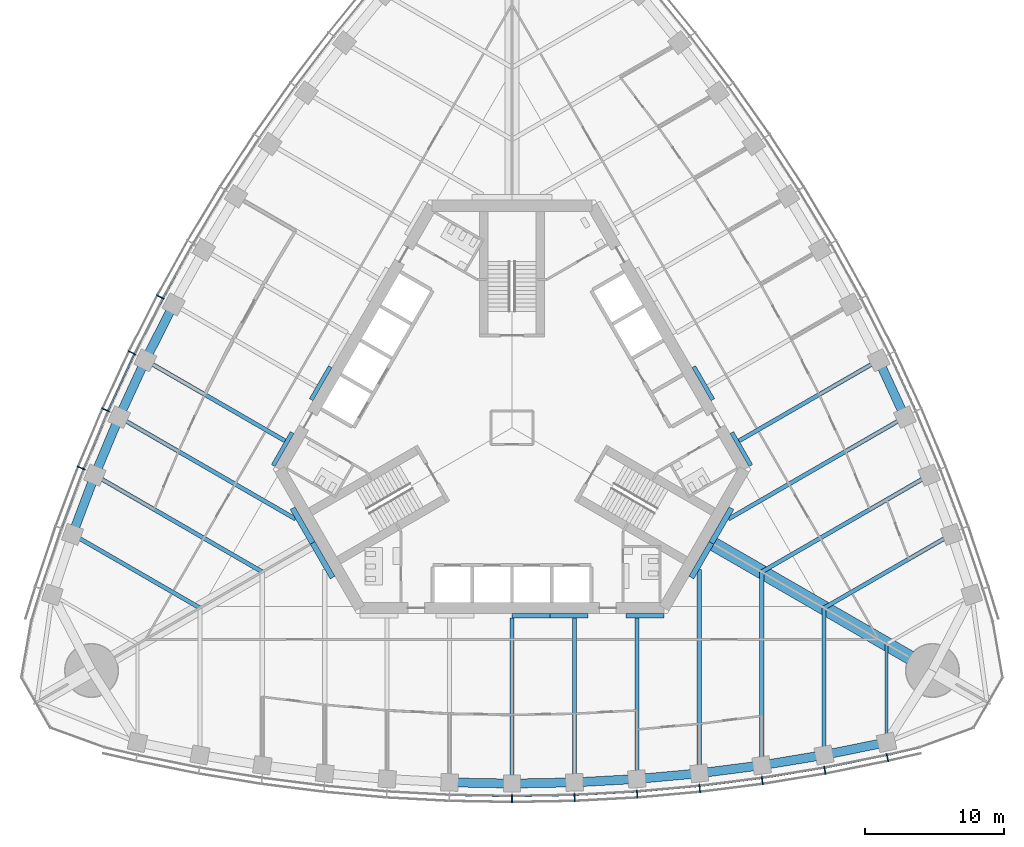
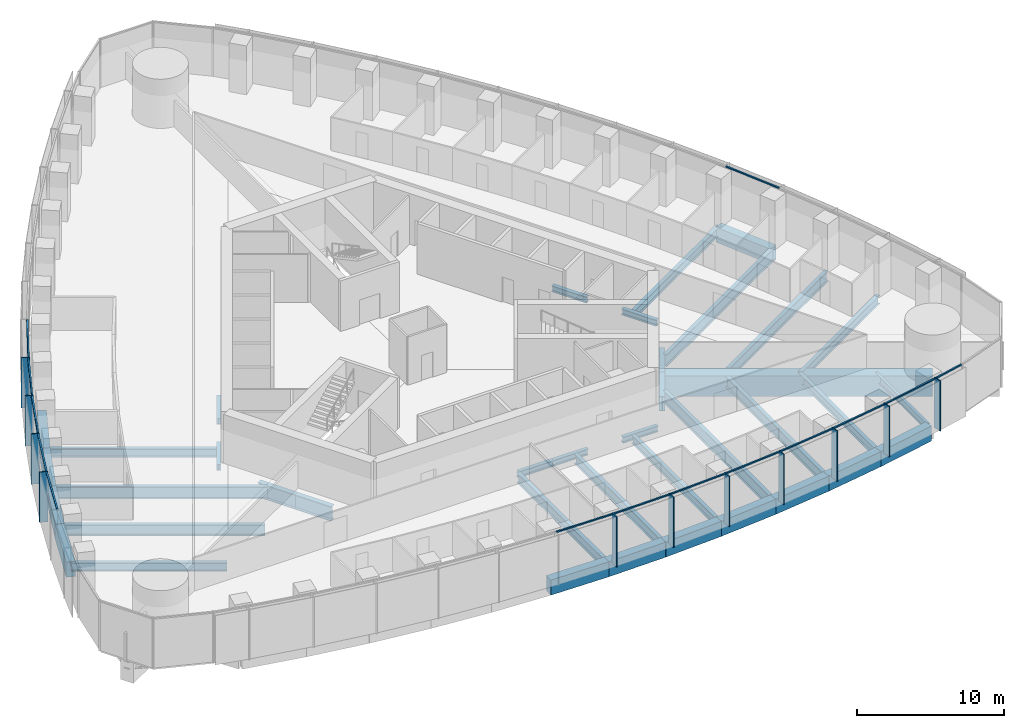
# One storey, part 3 of 21: 39 beams, 25 members, 3 elements without a shape of their own.
"""IFC4 building model written with IfcOpenShell, lengths in metres."""

from ifc_helpers import new_model, si_unit, direction, frame, origin, origin_2d, place, context, subcontext, project, spatial, rectangle, i_section, extrude, material, material_profile, profile_set, type_object, element, aggregate, save


model = new_model("IFC4")

# Units and contexts
model_context = context("Model", 3, precision=1e-05, world=origin(), true_north=direction((0.0, 1.0)))
body_context = subcontext(model_context, "Body", "Model", "MODEL_VIEW")
ifc_project = project(units=[si_unit("LENGTHUNIT", "METRE"), si_unit("AREAUNIT", "SQUARE_METRE"), si_unit("VOLUMEUNIT", "CUBIC_METRE"), si_unit("PLANEANGLEUNIT", "RADIAN"), si_unit("MASSUNIT", "GRAM", prefix="KILO")], contexts=[model_context])

# Site, building, storey
site_placement = place(None, origin())
site = spatial("IfcSite", under=ifc_project, at=site_placement, CompositionType="ELEMENT")
building_placement = place(site_placement, origin())
building = spatial("IfcBuilding", under=site, at=building_placement, Name="Trefoil Bronze Tower", CompositionType="ELEMENT")
storey_placement = place(building_placement, frame((0.0, 0.0, 149.300048828125)))
storey = spatial("IfcBuildingStorey", under=building, at=storey_placement, Name="L34", CompositionType="ELEMENT", Elevation=149.300048828125)

# Curtain wall, members
ifc_material_1 = material(Name="Tinted solar-control glass", Category="glass")
curtain_wall_type = type_object("IfcCurtainWallType", Name="Bronze office curtain wall", PredefinedType="USERDEFINED", material=ifc_material_1)
curtain_wall_1_placement = place(storey_placement, origin())
curtain_wall_1 = element("IfcCurtainWall", 1, at=curtain_wall_1_placement, inside=storey, type_object=curtain_wall_type, Name="CW-A L34 F1", ObjectType="CURTAIN WALL", PredefinedType="USERDEFINED")
ifc_material_2 = material(Name="Bronze-finish aluminium", Category="aluminium")
ifc_material_profile_1 = material_profile(ifc_material_2, rectangle(XDim=0.60009765625, YDim=0.080078125, at=origin_2d()), Name="CW-A mullion")
ifc_profile_set_1 = profile_set([ifc_material_profile_1], Name="Bronze-finish aluminium")
member_type_1 = type_object("IfcMemberType", Name="Bronze office curtain wall mullion", PredefinedType="MULLION", material=ifc_profile_set_1)
member_1_placement = place(storey_placement, frame((0.0, -26.749755859375, 0.0), z_axis=(0.0, 0.0, 1.0), x_axis=(0.0, 1.0, 0.0)))
member_1 = element("IfcMember", 2, at=member_1_placement, type_object=member_type_1, Name="CW-A L34 F1 mullion 8", PredefinedType="MULLION", context=body_context, shape_type="SweptSolid", body=[
    extrude(rectangle(XDim=0.60009765625, YDim=0.080078125, at=origin_2d()), origin(), (0.0, 0.0, 1.0), 4.179931640625),
])
member_2_placement = place(storey_placement, frame((4.5107421875, -26.66845703125, 0.0), z_axis=(0.0, 0.0, 1.0), x_axis=(-0.036047792107, 0.999350067136, 0.0)))
member_2 = element("IfcMember", 3, at=member_2_placement, type_object=member_type_1, Name="CW-A L34 F1 mullion 9", PredefinedType="MULLION", context=body_context, shape_type="SweptSolid", body=[
    extrude(rectangle(XDim=0.60009765625, YDim=0.080078125, at=origin_2d()), origin(), (0.0, 0.0, 1.0), 4.179931640625),
])
member_3_placement = place(storey_placement, frame((9.021728515625, -26.424072265625, 0.0), z_axis=(0.0, 0.0, 1.0), x_axis=(-0.072095676284, 0.997397720802, 0.0)))
member_3 = element("IfcMember", 4, at=member_3_placement, type_object=member_type_1, Name="CW-A L34 F1 mullion 10", PredefinedType="MULLION", context=body_context, shape_type="SweptSolid", body=[
    extrude(rectangle(XDim=0.60009765625, YDim=0.080078125, at=origin_2d()), origin(), (0.0, 0.0, 1.0), 4.179931640625),
])
member_4_placement = place(storey_placement, frame((13.532470703125, -26.01611328125, 0.0), z_axis=(0.0, 0.0, 1.0), x_axis=(-0.108143747013, 0.994135267447, 0.0)))
member_4 = element("IfcMember", 5, at=member_4_placement, type_object=member_type_1, Name="CW-A L34 F1 mullion 11", PredefinedType="MULLION", context=body_context, shape_type="SweptSolid", body=[
    extrude(rectangle(XDim=0.60009765625, YDim=0.080078125, at=origin_2d()), origin(), (0.0, 0.0, 1.0), 4.179931640625),
])
member_5_placement = place(storey_placement, frame((18.043212890625, -25.4423828125, 0.0), z_axis=(0.0, 0.0, 1.0), x_axis=(-0.144192103798, 0.989549714366, 0.0)))
member_5 = element("IfcMember", 6, at=member_5_placement, type_object=member_type_1, Name="CW-A L34 F1 mullion 12", PredefinedType="MULLION", context=body_context, shape_type="SweptSolid", body=[
    extrude(rectangle(XDim=0.60009765625, YDim=0.080078125, at=origin_2d()), origin(), (0.0, 0.0, 1.0), 4.179931640625),
])
member_6_placement = place(storey_placement, frame((22.553955078125, -24.700927734375, 0.0), z_axis=(0.0, 0.0, 1.0), x_axis=(-0.180240853954, 0.98362250613, 0.0)))
member_6 = element("IfcMember", 7, at=member_6_placement, type_object=member_type_1, Name="CW-A L34 F1 mullion 13", PredefinedType="MULLION", context=body_context, shape_type="SweptSolid", body=[
    extrude(rectangle(XDim=0.60009765625, YDim=0.080078125, at=origin_2d()), origin(), (0.0, 0.0, 1.0), 4.179931640625),
])
member_7_placement = place(storey_placement, frame((27.0634765625, -23.7890625, 0.0), z_axis=(0.0, 0.0, 1.0), x_axis=(-0.21197042503, 0.977276081214, 0.0)))
member_7 = element("IfcMember", 8, at=member_7_placement, type_object=member_type_1, Name="CW-A L34 F1 mullion 14", PredefinedType="MULLION", context=body_context, shape_type="SweptSolid", body=[
    extrude(rectangle(XDim=0.60009765625, YDim=0.080078125, at=origin_2d()), origin(), (0.0, 0.0, 1.0), 4.179931640625),
])

curtain_wall_2_placement = place(storey_placement, origin())
curtain_wall_2 = element("IfcCurtainWall", 9, at=curtain_wall_2_placement, inside=storey, type_object=curtain_wall_type, Name="CW-A L34 F3", ObjectType="CURTAIN WALL", PredefinedType="USERDEFINED")
member_8_placement = place(storey_placement, frame((-25.350830078125, 9.427734375, 0.0), z_axis=(0.0, 0.0, 1.0), x_axis=(0.883486441467, -0.468456729853, 0.0)))
member_8 = element("IfcMember", 10, at=member_8_placement, type_object=member_type_1, Name="CW-A L34 F3 mullion 9", PredefinedType="MULLION", context=body_context, shape_type="SweptSolid", body=[
    extrude(rectangle(XDim=0.60009765625, YDim=0.080078125, at=origin_2d()), origin(), (0.0, 0.0, 1.0), 4.179931640625),
])
member_9_placement = place(storey_placement, frame((-27.394775390625, 5.399169921875, 0.0), z_axis=(0.0, 0.0, 1.0), x_axis=(0.899819602033, -0.436262173236, 0.0)))
member_9 = element("IfcMember", 11, at=member_9_placement, type_object=member_type_1, Name="CW-A L34 F3 mullion 10", PredefinedType="MULLION", context=body_context, shape_type="SweptSolid", body=[
    extrude(rectangle(XDim=0.60009765625, YDim=0.080078125, at=origin_2d()), origin(), (0.0, 0.0, 1.0), 4.179931640625),
])
member_10_placement = place(storey_placement, frame((-29.296875, 1.28857421875, 0.0), z_axis=(0.0, 0.0, 1.0), x_axis=(0.915018269914, -0.40341240155, 0.0)))
member_10 = element("IfcMember", 12, at=member_10_placement, type_object=member_type_1, Name="CW-A L34 F3 mullion 11", PredefinedType="MULLION", context=body_context, shape_type="SweptSolid", body=[
    extrude(rectangle(XDim=0.60009765625, YDim=0.080078125, at=origin_2d()), origin(), (0.0, 0.0, 1.0), 4.179931640625),
])
member_11_placement = place(storey_placement, frame((-31.055419921875, -2.90478515625, 0.0), z_axis=(0.0, 0.0, 1.0), x_axis=(0.929071242848, -0.369900832269, 0.0)))
member_11 = element("IfcMember", 13, at=member_11_placement, type_object=member_type_1, Name="CW-A L34 F3 mullion 12", PredefinedType="MULLION", context=body_context, shape_type="SweptSolid", body=[
    extrude(rectangle(XDim=0.60009765625, YDim=0.080078125, at=origin_2d()), origin(), (0.0, 0.0, 1.0), 4.179931640625),
])

# Member
ifc_material_3 = material(Name="Bronze-finish aluminium", Category="aluminium")
ifc_material_profile_2 = material_profile(ifc_material_3, rectangle(XDim=0.1201171875, YDim=0.10009765625, at=origin_2d()), Name="CW-A transom")
ifc_profile_set_2 = profile_set([ifc_material_profile_2], Name="Bronze-finish aluminium")
member_type_2 = type_object("IfcMemberType", Name="Bronze office curtain wall transom", PredefinedType="USERDEFINED", material=ifc_profile_set_2)
member_12_placement = place(storey_placement, frame((-4.4619140625, -26.46923828125, 4.1298828125), z_axis=(0.999837930028, -0.018003157426, 0.0), x_axis=(0.018003157426, 0.999837930028, 0.0)))
member_12 = element("IfcMember", 14, at=member_12_placement, type_object=member_type_2, Name="CW-A L34 F1 transom 7", ObjectType="TRANSOM", PredefinedType="USERDEFINED", context=body_context, shape_type="SweptSolid", body=[
    extrude(rectangle(XDim=0.1201171875, YDim=0.10009765625, at=origin_2d()), origin(), (0.0, 0.0, 1.0), 4.4208984375),
])

member_13_placement = place(storey_placement, frame((0.041748046875, -26.548828125, 4.1298828125), z_axis=(0.999837930028, 0.018003157426, 0.0), x_axis=(-0.018003157426, 0.999837930028, 0.0)))
member_13 = element("IfcMember", 15, at=member_13_placement, type_object=member_type_2, Name="CW-A L34 F1 transom 8", ObjectType="TRANSOM", PredefinedType="USERDEFINED", context=body_context, shape_type="SweptSolid", body=[
    extrude(rectangle(XDim=0.1201171875, YDim=0.10009765625, at=origin_2d()), origin(), (0.0, 0.0, 1.0), 4.4208984375),
])

member_14_placement = place(storey_placement, frame((4.54541015625, -26.46630859375, 4.1298828125), z_axis=(0.998538253569, 0.054049571306, 0.0), x_axis=(-0.054049571306, 0.998538253569, 0.0)))
member_14 = element("IfcMember", 16, at=member_14_placement, type_object=member_type_2, Name="CW-A L34 F1 transom 9", ObjectType="TRANSOM", PredefinedType="USERDEFINED", context=body_context, shape_type="SweptSolid", body=[
    extrude(rectangle(XDim=0.1201171875, YDim=0.10009765625, at=origin_2d()), origin(), (0.0, 0.0, 1.0), 4.4267578125),
])

member_15_placement = place(storey_placement, frame((9.048828125, -26.220947265625, 4.1298828125), z_axis=(0.995932787062, 0.090099298863, 0.0), x_axis=(-0.090099298863, 0.995932787062, 0.0)))
member_15 = element("IfcMember", 17, at=member_15_placement, type_object=member_type_2, Name="CW-A L34 F1 transom 10", ObjectType="TRANSOM", PredefinedType="USERDEFINED", context=body_context, shape_type="SweptSolid", body=[
    extrude(rectangle(XDim=0.1201171875, YDim=0.10009765625, at=origin_2d()), origin(), (0.0, 0.0, 1.0), 4.4384765625),
])

member_16_placement = place(storey_placement, frame((13.55224609375, -25.81201171875, 4.1298828125), z_axis=(0.992008387848, 0.12617193998, 0.0), x_axis=(-0.12617193998, 0.992008387848, 0.0)))
member_16 = element("IfcMember", 18, at=member_16_placement, type_object=member_type_2, Name="CW-A L34 F1 transom 11", ObjectType="TRANSOM", PredefinedType="USERDEFINED", context=body_context, shape_type="SweptSolid", body=[
    extrude(rectangle(XDim=0.1201171875, YDim=0.10009765625, at=origin_2d()), origin(), (0.0, 0.0, 1.0), 4.456298828125),
])

member_17_placement = place(storey_placement, frame((18.0556640625, -25.23779296875, 4.1298828125), z_axis=(0.986755265284, 0.162216048636, 0.0), x_axis=(-0.162216048636, 0.986755265284, 0.0)))
member_17 = element("IfcMember", 19, at=member_17_placement, type_object=member_type_2, Name="CW-A L34 F1 transom 12", ObjectType="TRANSOM", PredefinedType="USERDEFINED", context=body_context, shape_type="SweptSolid", body=[
    extrude(rectangle(XDim=0.1201171875, YDim=0.10009765625, at=origin_2d()), origin(), (0.0, 0.0, 1.0), 4.48046875),
])

member_18_placement = place(storey_placement, frame((22.55908203125, -24.49609375, 4.1298828125), z_axis=(0.980153749225, 0.198238815273, 0.0), x_axis=(-0.198238815273, 0.980153749225, 0.0)))
member_18 = element("IfcMember", 20, at=member_18_placement, type_object=member_type_2, Name="CW-A L34 F1 transom 13", ObjectType="TRANSOM", PredefinedType="USERDEFINED", context=body_context, shape_type="SweptSolid", body=[
    extrude(rectangle(XDim=0.1201171875, YDim=0.10009765625, at=origin_2d()), origin(), (0.0, 0.0, 1.0), 4.51123046875),
])

member_19_placement = place(storey_placement, frame((27.0615234375, -23.584228515625, 4.1298828125), z_axis=(0.974206243495, 0.225659467196, 0.0), x_axis=(-0.225659467196, 0.974206243495, 0.0)))
member_19 = element("IfcMember", 21, at=member_19_placement, type_object=member_type_2, Name="CW-A L34 F1 transom 14", ObjectType="TRANSOM", PredefinedType="USERDEFINED", context=body_context, shape_type="SweptSolid", body=[
    extrude(rectangle(XDim=0.1201171875, YDim=0.10009765625, at=origin_2d()), origin(), (0.0, 0.0, 1.0), 2.340087890625),
])

aggregate(curtain_wall_1, [member_1, member_2, member_3, member_4, member_5, member_6, member_7, member_12, member_13, member_14, member_15, member_16, member_17, member_18, member_19])

# Curtain wall, member
curtain_wall_3_placement = place(storey_placement, origin())
curtain_wall_3 = element("IfcCurtainWall", 22, at=curtain_wall_3_placement, inside=storey, type_object=curtain_wall_type, Name="CW-A L34 F2", ObjectType="CURTAIN WALL", PredefinedType="USERDEFINED")
member_20_placement = place(storey_placement, frame((29.09619140625, 1.245849609375, 4.1298828125), z_axis=(-0.419923072198, 0.907559702409, 0.0), x_axis=(-0.907559702409, -0.419923072198, 0.0)))
member_20 = element("IfcMember", 23, at=member_20_placement, type_object=member_type_2, Name="CW-A L34 F2 transom 5", ObjectType="TRANSOM", PredefinedType="USERDEFINED", context=body_context, shape_type="SweptSolid", body=[
    extrude(rectangle(XDim=0.1201171875, YDim=0.10009765625, at=origin_2d()), origin(), (0.0, 0.0, 1.0), 4.4384765625),
])
aggregate(curtain_wall_3, [member_20])

# Member
member_21_placement = place(storey_placement, frame((-23.012939453125, 13.23828125, 4.1298828125), z_axis=(-0.484329470343, -0.874885686337, 0.0), x_axis=(0.874885686337, -0.484329470343, 0.0)))
member_21 = element("IfcMember", 24, at=member_21_placement, type_object=member_type_2, Name="CW-A L34 F3 transom 8", ObjectType="TRANSOM", PredefinedType="USERDEFINED", context=body_context, shape_type="SweptSolid", body=[
    extrude(rectangle(XDim=0.1201171875, YDim=0.10009765625, at=origin_2d()), origin(), (0.0, 0.0, 1.0), 4.4208984375),
])

member_22_placement = place(storey_placement, frame((-25.193115234375, 9.296630859375, 4.1298828125), z_axis=(-0.452478489814, -0.891775317138, 0.0), x_axis=(0.891775317138, -0.452478489814, 0.0)))
member_22 = element("IfcMember", 25, at=member_22_placement, type_object=member_type_2, Name="CW-A L34 F3 transom 9", ObjectType="TRANSOM", PredefinedType="USERDEFINED", context=body_context, shape_type="SweptSolid", body=[
    extrude(rectangle(XDim=0.1201171875, YDim=0.10009765625, at=origin_2d()), origin(), (0.0, 0.0, 1.0), 4.426513671875),
])

member_23_placement = place(storey_placement, frame((-27.232421875, 5.27392578125, 4.1298828125), z_axis=(-0.419923072198, -0.907559702409, 0.0), x_axis=(0.907559702409, -0.419923072198, 0.0)))
member_23 = element("IfcMember", 26, at=member_23_placement, type_object=member_type_2, Name="CW-A L34 F3 transom 10", ObjectType="TRANSOM", PredefinedType="USERDEFINED", context=body_context, shape_type="SweptSolid", body=[
    extrude(rectangle(XDim=0.1201171875, YDim=0.10009765625, at=origin_2d()), origin(), (0.0, 0.0, 1.0), 4.4384765625),
])

member_24_placement = place(storey_placement, frame((-29.1298828125, 1.16943359375, 4.1298828125), z_axis=(-0.386773266184, -0.922174842731, 0.0), x_axis=(0.922174842731, -0.386773266184, 0.0)))
member_24 = element("IfcMember", 27, at=member_24_placement, type_object=member_type_2, Name="CW-A L34 F3 transom 11", ObjectType="TRANSOM", PredefinedType="USERDEFINED", context=body_context, shape_type="SweptSolid", body=[
    extrude(rectangle(XDim=0.1201171875, YDim=0.10009765625, at=origin_2d()), origin(), (0.0, 0.0, 1.0), 4.45654296875),
])

member_25_placement = place(storey_placement, frame((-30.88427734375, -3.017822265625, 4.1298828125), z_axis=(-0.352932154759, -0.935648916067, 0.0), x_axis=(0.935648916067, -0.352932154759, 0.0)))
member_25 = element("IfcMember", 28, at=member_25_placement, type_object=member_type_2, Name="CW-A L34 F3 transom 12", ObjectType="TRANSOM", PredefinedType="USERDEFINED", context=body_context, shape_type="SweptSolid", body=[
    extrude(rectangle(XDim=0.1201171875, YDim=0.10009765625, at=origin_2d()), origin(), (0.0, 0.0, 1.0), 4.48046875),
])

aggregate(curtain_wall_2, [member_8, member_9, member_10, member_11, member_21, member_22, member_23, member_24, member_25])

# Beams
ifc_material_4 = material(Name="Steel C355", Category="steel")
ifc_material_profile_3 = material_profile(ifc_material_4, i_section(OverallWidth=0.300048828125, OverallDepth=0.5, WebThickness=0.014404296875, FlangeThickness=0.028076171875, FilletRadius=0.027099609375, at=origin_2d()), Name="HEB 500")
ifc_profile_set_3 = profile_set([ifc_material_profile_3], Name="Steel C355")
beam_type_1 = type_object("IfcBeamType", Name="Core seat beam HEB 500", PredefinedType="BEAM", material=ifc_profile_set_3)
for number, where, z_axis, x_axis, name in (
    (29, (0.0, -13.550048828125, -0.449951171875), (1.0, 0.0, 0.0), (0.0, 1.0, 0.0), "Core seat beam F1/+0 L34"),
    (30, (2.742431640625, -13.550048828125, -0.449951171875), (1.0, 0.0, 0.0), (0.0, 1.0, 0.0), "Core seat beam F1/+1 L34"),
    (31, (8.227294921875, -13.550048828125, -0.449951171875), (1.0, 0.0, 0.0), (0.0, 1.0, 0.0), "Core seat beam F1/+2 L34"),
    (32, (17.219482421875, -2.72509765625, -0.449951171875), (-0.500035825175, 0.866004719122, 0.0), (-0.866004719122, -0.500035825175, 0.0), "Core seat beam F2/-2 L34"),
    (33, (14.47705078125, 2.02490234375, -0.449951171875), (-0.499969057507, 0.866043267704, 0.0), (-0.866043267704, -0.499969057507, 0.0), "Core seat beam F2/-1 L34"),
    (34, (-13.10595703125, 4.39990234375, -0.449951171875), (-0.499969057507, -0.866043267704, 0.0), (0.866043267704, -0.499969057507, 0.0), "Core seat beam F3/+1 L34"),
    (35, (-15.84814453125, -0.35009765625, -0.449951171875), (-0.500035825175, -0.866004719122, 0.0), (0.866004719122, -0.500035825175, 0.0), "Core seat beam F3/+2 L34"),
):
    element("IfcBeam", number, at=place(storey_placement, frame(where, z_axis=z_axis, x_axis=x_axis)), inside=storey, type_object=beam_type_1, Name=name, PredefinedType="BEAM", context=body_context, shape_type="SweptSolid", body=[
        extrude(i_section(OverallWidth=0.300048828125, OverallDepth=0.5, WebThickness=0.014404296875, FlangeThickness=0.028076171875, FilletRadius=0.027099609375, at=origin_2d()), origin(), (0.0, 0.0, 1.0), 2.742431640625),
    ])
ifc_material_5 = material(Name="Steel C355", Category="steel")
ifc_material_profile_4 = material_profile(ifc_material_5, i_section(OverallWidth=0.39990234375, OverallDepth=1.199951171875, WebThickness=0.02001953125, FlangeThickness=0.0400390625, FilletRadius=0.010009765625, at=origin_2d()), Name="WPG 1200")
ifc_profile_set_4 = profile_set([ifc_material_profile_4], Name="Steel C355")
beam_type_2 = type_object("IfcBeamType", Name="Core seat beam WPG 1200", PredefinedType="BEAM", material=ifc_profile_set_4)
for number, where, z_axis, x_axis, name in (
    (36, (-14.3759765625, -8.300048828125, -0.800048828125), (0.499995765644, -0.866027848477, 0.0), (0.866027848477, 0.499995765644, 0.0), "Core seat beam F1/-3 L34"),
    (37, (12.9326171875, -10.800048828125, -0.800048828125), (0.499995765644, 0.866027848477, 0.0), (-0.866027848477, 0.499995765644, 0.0), "Core seat beam F1/+3 L34"),
    (38, (14.3759765625, -8.300048828125, -0.800048828125), (0.499995765644, 0.866027848477, 0.0), (-0.866027848477, 0.499995765644, 0.0), "Core seat beam F2/-3 L34"),
    (39, (-15.8193359375, -5.800048828125, -0.800048828125), (0.499995765644, -0.866027848477, 0.0), (0.866027848477, 0.499995765644, 0.0), "Core seat beam F3/+3 L34"),
):
    element("IfcBeam", number, at=place(storey_placement, frame(where, z_axis=z_axis, x_axis=x_axis)), inside=storey, type_object=beam_type_2, Name=name, PredefinedType="BEAM", context=body_context, shape_type="SweptSolid", body=[
        extrude(i_section(OverallWidth=0.39990234375, OverallDepth=1.199951171875, WebThickness=0.02001953125, FlangeThickness=0.0400390625, FilletRadius=0.010009765625, at=origin_2d()), origin(), (0.0, 0.0, 1.0), 2.88671875),
    ])
ifc_material_6 = material(Name="Concrete B80", Category="concrete")
ifc_material_profile_5 = material_profile(ifc_material_6, rectangle(XDim=1.0, YDim=1.699951171875, at=origin_2d()), Name="RC 1000x1700")
ifc_profile_set_5 = profile_set([ifc_material_profile_5], Name="Concrete B80")
beam_type_3 = type_object("IfcBeamType", Name="Corner girder RC 1000x1700", PredefinedType="BEAM", material=ifc_profile_set_5)
beam_1_placement = place(storey_placement, frame((14.202880859375, -8.199951171875, -1.050048828125), z_axis=(0.866022084834, -0.500005748546, 0.0), x_axis=(0.500005748546, 0.866022084834, 0.0)))
element("IfcBeam", 40, at=beam_1_placement, inside=storey, type_object=beam_type_3, Name="Corner girder K1 L34", PredefinedType="BEAM", context=body_context, shape_type="SweptSolid", body=[
    extrude(rectangle(XDim=1.0, YDim=1.699951171875, at=origin_2d()), origin(), (0.0, 0.0, 1.0), 18.599853515625),
])
ifc_material_7 = material(Name="Steel C355", Category="steel")
ifc_material_profile_6 = material_profile(ifc_material_7, i_section(OverallWidth=0.300048828125, OverallDepth=1.0, WebThickness=0.01904296875, FlangeThickness=0.035888671875, FilletRadius=0.030029296875, at=origin_2d()), Name="HEB 1000")
ifc_profile_set_6 = profile_set([ifc_material_profile_6], Name="Steel C355")
beam_type_4 = type_object("IfcBeamType", Name="Floor beam HEB 1000", PredefinedType="BEAM", material=ifc_profile_set_6)
for number, where, z_axis, x_axis, name in (
    (41, (13.5, -24.9130859375, -0.699951171875), (0.0, 1.0, 0.0), (-1.0, 0.0, 0.0), "Floor beam F1/+3 L34"),
    (42, (28.325439453125, 0.76513671875, -0.699951171875), (-0.866027342682, -0.499996641717, 0.0), (0.499996641717, -0.866027342682, 0.0), "Floor beam F2/-3 L34"),
    (43, (-28.325439453125, 0.76513671875, -0.699951171875), (0.866027342682, -0.499996641717, 0.0), (0.499996641717, 0.866027342682, 0.0), "Floor beam F3/+3 L34"),
):
    element("IfcBeam", number, at=place(storey_placement, frame(where, z_axis=z_axis, x_axis=x_axis)), inside=storey, type_object=beam_type_4, Name=name, PredefinedType="BEAM", context=body_context, shape_type="SweptSolid", body=[
        extrude(i_section(OverallWidth=0.300048828125, OverallDepth=1.0, WebThickness=0.01904296875, FlangeThickness=0.035888671875, FilletRadius=0.030029296875, at=origin_2d()), origin(), (0.0, 0.0, 1.0), 14.69580078125),
    ])
ifc_material_8 = material(Name="Steel C355", Category="steel")
ifc_material_profile_7 = material_profile(ifc_material_8, i_section(OverallWidth=0.300048828125, OverallDepth=0.699951171875, WebThickness=0.01708984375, FlangeThickness=0.031982421875, FilletRadius=0.027099609375, at=origin_2d()), Name="HEB 700")
ifc_profile_set_7 = profile_set([ifc_material_profile_7], Name="Steel C355")
beam_type_5 = type_object("IfcBeamType", Name="Floor beam HEB 700", PredefinedType="BEAM", material=ifc_profile_set_7)
beam_2_placement = place(storey_placement, frame((9.0, -25.32275390625, -0.550048828125), z_axis=(0.0, 1.0, 0.0), x_axis=(-1.0, 0.0, 0.0)))
element("IfcBeam", 44, at=beam_2_placement, inside=storey, type_object=beam_type_5, Name="Floor beam F1/+2 L34", PredefinedType="BEAM", context=body_context, shape_type="SweptSolid", body=[
    extrude(i_section(OverallWidth=0.300048828125, OverallDepth=0.699951171875, WebThickness=0.01708984375, FlangeThickness=0.031982421875, FilletRadius=0.027099609375, at=origin_2d()), origin(), (0.0, 0.0, 1.0), 11.622802734375),
])
beam_3_placement = place(storey_placement, frame((22.5, -23.592529296875, -0.550048828125), z_axis=(0.0, 1.0, 0.0), x_axis=(-1.0, 0.0, 0.0)))
element("IfcBeam", 45, at=beam_3_placement, inside=storey, type_object=beam_type_5, Name="Floor beam F1/+5 L34", PredefinedType="BEAM", context=body_context, shape_type="SweptSolid", body=[
    extrude(i_section(OverallWidth=0.300048828125, OverallDepth=0.699951171875, WebThickness=0.01708984375, FlangeThickness=0.031982421875, FilletRadius=0.027099609375, at=origin_2d()), origin(), (0.0, 0.0, 1.0), 10.60205078125),
])
beam_4_placement = place(storey_placement, frame((31.681884765625, -7.689208984375, -0.550048828125), z_axis=(-0.866021079084, -0.500007490527, 0.0), x_axis=(0.500007490527, -0.866021079084, 0.0)))
element("IfcBeam", 46, at=beam_4_placement, inside=storey, type_object=beam_type_5, Name="Floor beam F2/-5 L34", PredefinedType="BEAM", context=body_context, shape_type="SweptSolid", body=[
    extrude(i_section(OverallWidth=0.300048828125, OverallDepth=0.699951171875, WebThickness=0.01708984375, FlangeThickness=0.031982421875, FilletRadius=0.027099609375, at=origin_2d()), origin(), (0.0, 0.0, 1.0), 10.602294921875),
])
for number, where, z_axis, x_axis, name in (
    (47, (26.43017578125, 4.8671875, -0.550048828125), (-0.866021531335, -0.500006707218, 0.0), (0.500006707218, -0.866021531335, 0.0), "Floor beam F2/-2 L34"),
    (48, (-26.43017578125, 4.8671875, -0.550048828125), (0.866021531335, -0.500006707218, 0.0), (0.500006707218, 0.866021531335, 0.0), "Floor beam F3/+2 L34"),
):
    element("IfcBeam", number, at=place(storey_placement, frame(where, z_axis=z_axis, x_axis=x_axis)), inside=storey, type_object=beam_type_5, Name=name, PredefinedType="BEAM", context=body_context, shape_type="SweptSolid", body=[
        extrude(i_section(OverallWidth=0.300048828125, OverallDepth=0.699951171875, WebThickness=0.01708984375, FlangeThickness=0.031982421875, FilletRadius=0.027099609375, at=origin_2d()), origin(), (0.0, 0.0, 1.0), 11.622802734375),
    ])
beam_5_placement = place(storey_placement, frame((-31.681884765625, -7.689208984375, -0.550048828125), z_axis=(0.866021079084, -0.500007490527, 0.0), x_axis=(0.500007490527, 0.866021079084, 0.0)))
element("IfcBeam", 49, at=beam_5_placement, inside=storey, type_object=beam_type_5, Name="Floor beam F3/+5 L34", PredefinedType="BEAM", context=body_context, shape_type="SweptSolid", body=[
    extrude(i_section(OverallWidth=0.300048828125, OverallDepth=0.699951171875, WebThickness=0.01708984375, FlangeThickness=0.031982421875, FilletRadius=0.027099609375, at=origin_2d()), origin(), (0.0, 0.0, 1.0), 10.602294921875),
])
ifc_material_9 = material(Name="Steel C355", Category="steel")
ifc_material_profile_8 = material_profile(ifc_material_9, i_section(OverallWidth=0.300048828125, OverallDepth=0.800048828125, WebThickness=0.017578125, FlangeThickness=0.032958984375, FilletRadius=0.030029296875, at=origin_2d()), Name="HEB 800")
ifc_profile_set_8 = profile_set([ifc_material_profile_8], Name="Steel C355")
beam_type_6 = type_object("IfcBeamType", Name="Floor beam HEB 800", PredefinedType="BEAM", material=ifc_profile_set_8)
beam_6_placement = place(storey_placement, frame((0.0, -25.649658203125, -0.60009765625), z_axis=(0.0, 1.0, 0.0), x_axis=(-1.0, 0.0, 0.0)))
element("IfcBeam", 50, at=beam_6_placement, inside=storey, type_object=beam_type_6, Name="Floor beam F1/+0 L34", PredefinedType="BEAM", context=body_context, shape_type="SweptSolid", body=[
    extrude(i_section(OverallWidth=0.300048828125, OverallDepth=0.800048828125, WebThickness=0.017578125, FlangeThickness=0.032958984375, FilletRadius=0.030029296875, at=origin_2d()), origin(), (0.0, 0.0, 1.0), 11.94970703125),
])
beam_7_placement = place(storey_placement, frame((4.5, -25.568115234375, -0.60009765625), z_axis=(0.0, 1.0, 0.0), x_axis=(-1.0, 0.0, 0.0)))
element("IfcBeam", 51, at=beam_7_placement, inside=storey, type_object=beam_type_6, Name="Floor beam F1/+1 L34", PredefinedType="BEAM", context=body_context, shape_type="SweptSolid", body=[
    extrude(i_section(OverallWidth=0.300048828125, OverallDepth=0.800048828125, WebThickness=0.017578125, FlangeThickness=0.032958984375, FilletRadius=0.030029296875, at=origin_2d()), origin(), (0.0, 0.0, 1.0), 11.8681640625),
])
ifc_material_10 = material(Name="Steel C355", Category="steel")
ifc_material_profile_9 = material_profile(ifc_material_10, i_section(OverallWidth=0.300048828125, OverallDepth=0.89990234375, WebThickness=0.0185546875, FlangeThickness=0.034912109375, FilletRadius=0.030029296875, at=origin_2d()), Name="HEB 900")
ifc_profile_set_9 = profile_set([ifc_material_profile_9], Name="Steel C355")
beam_type_7 = type_object("IfcBeamType", Name="Floor beam HEB 900", PredefinedType="BEAM", material=ifc_profile_set_9)
for number, where, z_axis, x_axis, name in (
    (52, (18.0, -24.337158203125, -0.650146484375), (0.0, 1.0, 0.0), (-1.0, 0.0, 0.0), "Floor beam F1/+4 L34"),
    (53, (30.07666015625, -3.419921875, -0.650146484375), (-0.866026983775, -0.499997263366, 0.0), (0.499997263366, -0.866026983775, 0.0), "Floor beam F2/-4 L34"),
    (54, (-30.07666015625, -3.419921875, -0.650146484375), (0.866026983775, -0.499997263366, 0.0), (0.499997263366, 0.866026983775, 0.0), "Floor beam F3/+4 L34"),
):
    element("IfcBeam", number, at=place(storey_placement, frame(where, z_axis=z_axis, x_axis=x_axis)), inside=storey, type_object=beam_type_7, Name=name, PredefinedType="BEAM", context=body_context, shape_type="SweptSolid", body=[
        extrude(i_section(OverallWidth=0.300048828125, OverallDepth=0.89990234375, WebThickness=0.0185546875, FlangeThickness=0.034912109375, FilletRadius=0.030029296875, at=origin_2d()), origin(), (0.0, 0.0, 1.0), 13.94482421875),
    ])
ifc_material_11 = material(Name="Steel C355", Category="steel")
ifc_material_profile_10 = material_profile(ifc_material_11, i_section(OverallWidth=0.219970703125, OverallDepth=0.60009765625, WebThickness=0.011962890625, FlangeThickness=0.01904296875, FilletRadius=0.02392578125, at=origin_2d()), Name="IPE 600")
ifc_profile_set_10 = profile_set([ifc_material_profile_10], Name="Steel C355")
beam_type_8 = type_object("IfcBeamType", Name="Floor beam IPE 600", PredefinedType="BEAM", material=ifc_profile_set_10)
beam_8_placement = place(storey_placement, frame((27.0, -22.67724609375, -0.5), z_axis=(0.0, 1.0, 0.0), x_axis=(-1.0, 0.0, 0.0)))
element("IfcBeam", 55, at=beam_8_placement, inside=storey, type_object=beam_type_8, Name="Floor beam F1/+6 L34", PredefinedType="BEAM", context=body_context, shape_type="SweptSolid", body=[
    extrude(i_section(OverallWidth=0.219970703125, OverallDepth=0.60009765625, WebThickness=0.011962890625, FlangeThickness=0.01904296875, FilletRadius=0.02392578125, at=origin_2d()), origin(), (0.0, 0.0, 1.0), 7.0888671875),
])
ifc_material_12 = material(Name="Concrete B80", Category="concrete")
ifc_material_profile_11 = material_profile(ifc_material_12, rectangle(XDim=0.64990234375, YDim=1.25, at=origin_2d()), Name="RC 650x1250")
ifc_profile_set_11 = profile_set([ifc_material_profile_11], Name="Concrete B80")
beam_type_9 = type_object("IfcBeamType", Name="Spandrel beam RC 650x1250", PredefinedType="SPANDREL", material=ifc_profile_set_11)
for number, where, z_axis, x_axis, name in (
    (56, (-4.5, -25.568115234375, -0.824951171875), (0.999835861267, -0.01811768542, 0.0), (0.01811768542, 0.999835861267, 0.0), "Spandrel F1.7 L34"),
    (57, (0.0, -25.649658203125, -0.824951171875), (0.999835861267, 0.01811768542, 0.0), (-0.01811768542, 0.999835861267, 0.0), "Spandrel F1.8 L34"),
):
    element("IfcBeam", number, at=place(storey_placement, frame(where, z_axis=z_axis, x_axis=x_axis)), inside=storey, type_object=beam_type_9, Name=name, PredefinedType="SPANDREL", context=body_context, shape_type="SweptSolid", body=[
        extrude(rectangle(XDim=0.64990234375, YDim=1.25, at=origin_2d()), origin(), (0.0, 0.0, 1.0), 4.500732421875),
    ])
beam_9_placement = place(storey_placement, frame((4.5, -25.568115234375, -0.824951171875), z_axis=(0.998516832602, 0.054443870267, 0.0), x_axis=(-0.054443870267, 0.998516832602, 0.0)))
element("IfcBeam", 58, at=beam_9_placement, inside=storey, type_object=beam_type_9, Name="Spandrel F1.9 L34", PredefinedType="SPANDREL", context=body_context, shape_type="SweptSolid", body=[
    extrude(rectangle(XDim=0.64990234375, YDim=1.25, at=origin_2d()), origin(), (0.0, 0.0, 1.0), 4.506591796875),
])
beam_10_placement = place(storey_placement, frame((9.0, -25.32275390625, -0.824951171875), z_axis=(0.995881683815, 0.090662405894, 0.0), x_axis=(-0.090662405894, 0.995881683815, 0.0)))
element("IfcBeam", 59, at=beam_10_placement, inside=storey, type_object=beam_type_9, Name="Spandrel F1.10 L34", PredefinedType="SPANDREL", context=body_context, shape_type="SweptSolid", body=[
    extrude(rectangle(XDim=0.64990234375, YDim=1.25, at=origin_2d()), origin(), (0.0, 0.0, 1.0), 4.5185546875),
])
beam_11_placement = place(storey_placement, frame((13.5, -24.9130859375, -0.824951171875), z_axis=(0.991909314257, 0.126948463126, 0.0), x_axis=(-0.126948463126, 0.991909314257, 0.0)))
element("IfcBeam", 60, at=beam_11_placement, inside=storey, type_object=beam_type_9, Name="Spandrel F1.11 L34", PredefinedType="SPANDREL", context=body_context, shape_type="SweptSolid", body=[
    extrude(rectangle(XDim=0.64990234375, YDim=1.25, at=origin_2d()), origin(), (0.0, 0.0, 1.0), 4.53662109375),
])
beam_12_placement = place(storey_placement, frame((18.0, -24.337158203125, -0.824951171875), z_axis=(0.986584214684, 0.163253138823, 0.0), x_axis=(-0.163253138823, 0.986584214684, 0.0)))
element("IfcBeam", 61, at=beam_12_placement, inside=storey, type_object=beam_type_9, Name="Spandrel F1.12 L34", PredefinedType="SPANDREL", context=body_context, shape_type="SweptSolid", body=[
    extrude(rectangle(XDim=0.64990234375, YDim=1.25, at=origin_2d()), origin(), (0.0, 0.0, 1.0), 4.561279296875),
])
beam_13_placement = place(storey_placement, frame((22.5, -23.592529296875, -0.824951171875), z_axis=(0.979935430296, 0.199315208777, 0.0), x_axis=(-0.199315208777, 0.979935430296, 0.0)))
element("IfcBeam", 62, at=beam_13_placement, inside=storey, type_object=beam_type_9, Name="Spandrel F1.13 L34", PredefinedType="SPANDREL", context=body_context, shape_type="SweptSolid", body=[
    extrude(rectangle(XDim=0.64990234375, YDim=1.25, at=origin_2d()), origin(), (0.0, 0.0, 1.0), 4.592041015625),
])
beam_14_placement = place(storey_placement, frame((28.325439453125, 0.76513671875, -0.824951171875), z_axis=(-0.419424747755, 0.907790108434, 0.0), x_axis=(-0.907790108434, -0.419424747755, 0.0)))
element("IfcBeam", 63, at=beam_14_placement, inside=storey, type_object=beam_type_9, Name="Spandrel F2.5 L34", PredefinedType="SPANDREL", context=body_context, shape_type="SweptSolid", body=[
    extrude(rectangle(XDim=0.64990234375, YDim=1.25, at=origin_2d()), origin(), (0.0, 0.0, 1.0), 4.518798828125),
])
beam_15_placement = place(storey_placement, frame((-24.392578125, 8.886962890625, -0.824951171875), z_axis=(-0.452125717735, -0.891954222683, 0.0), x_axis=(0.891954222683, -0.452125717735, 0.0)))
element("IfcBeam", 64, at=beam_15_placement, inside=storey, type_object=beam_type_9, Name="Spandrel F3.9 L34", PredefinedType="SPANDREL", context=body_context, shape_type="SweptSolid", body=[
    extrude(rectangle(XDim=0.64990234375, YDim=1.25, at=origin_2d()), origin(), (0.0, 0.0, 1.0), 4.506591796875),
])
beam_16_placement = place(storey_placement, frame((-26.43017578125, 4.8671875, -0.824951171875), z_axis=(-0.419424747755, -0.907790108434, 0.0), x_axis=(0.907790108434, -0.419424747755, 0.0)))
element("IfcBeam", 65, at=beam_16_placement, inside=storey, type_object=beam_type_9, Name="Spandrel F3.10 L34", PredefinedType="SPANDREL", context=body_context, shape_type="SweptSolid", body=[
    extrude(rectangle(XDim=0.64990234375, YDim=1.25, at=origin_2d()), origin(), (0.0, 0.0, 1.0), 4.518798828125),
])
beam_17_placement = place(storey_placement, frame((-28.325439453125, 0.76513671875, -0.824951171875), z_axis=(-0.386013490858, -0.922493135408, 0.0), x_axis=(0.922493135408, -0.386013490858, 0.0)))
element("IfcBeam", 66, at=beam_17_placement, inside=storey, type_object=beam_type_9, Name="Spandrel F3.11 L34", PredefinedType="SPANDREL", context=body_context, shape_type="SweptSolid", body=[
    extrude(rectangle(XDim=0.64990234375, YDim=1.25, at=origin_2d()), origin(), (0.0, 0.0, 1.0), 4.53662109375),
])
beam_18_placement = place(storey_placement, frame((-30.07666015625, -3.419921875, -0.824951171875), z_axis=(-0.351938675523, -0.936023059904, 0.0), x_axis=(0.936023059904, -0.351938675523, 0.0)))
element("IfcBeam", 67, at=beam_18_placement, inside=storey, type_object=beam_type_9, Name="Spandrel F3.12 L34", PredefinedType="SPANDREL", context=body_context, shape_type="SweptSolid", body=[
    extrude(rectangle(XDim=0.64990234375, YDim=1.25, at=origin_2d()), origin(), (0.0, 0.0, 1.0), 4.56103515625),
])

save(model, "model.ifc")
